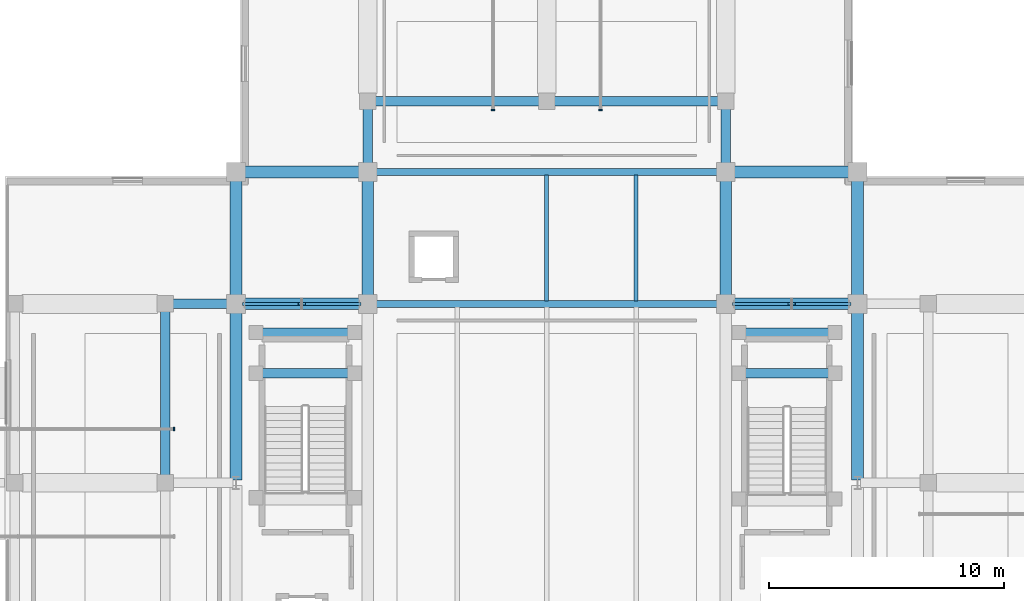
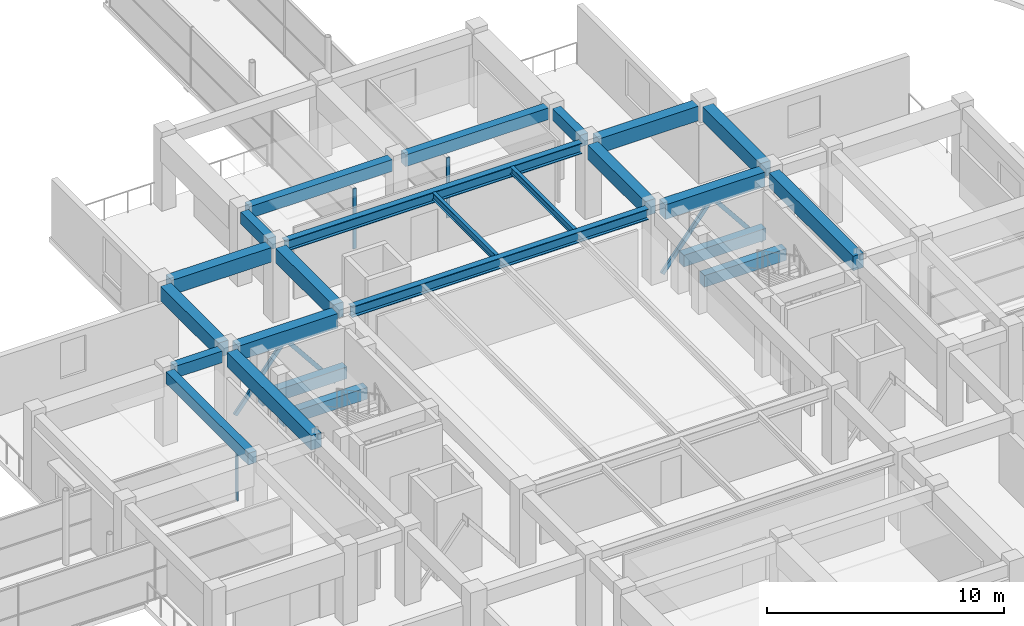
# One storey, part 22 of 70: 24 beams, 7 members, 3 elements without a shape of their own.
"""IFC4 building model written with IfcOpenShell, lengths in metres."""

from ifc_helpers import new_model, si_unit, direction, frame, origin, origin_2d, place, context, subcontext, project, spatial, rectangle, hollow_rectangle, i_section, extrude, material, material_profile, profile_set, type_object, element, aggregate, save


model = new_model("IFC4")

# Units and contexts
model_context = context("Model", 3, precision=1e-05, world=origin(), true_north=direction((0.0, 1.0)))
body_context = subcontext(model_context, "Body", "Model", "MODEL_VIEW")
ifc_project = project(units=[si_unit("LENGTHUNIT", "METRE"), si_unit("AREAUNIT", "SQUARE_METRE"), si_unit("VOLUMEUNIT", "CUBIC_METRE"), si_unit("PLANEANGLEUNIT", "RADIAN"), si_unit("MASSUNIT", "GRAM", prefix="KILO")], contexts=[model_context])

# Site, building, storey
site_placement = place(None, origin())
site = spatial("IfcSite", under=ifc_project, at=site_placement, CompositionType="ELEMENT")
building_placement = place(site_placement, origin())
building = spatial("IfcBuilding", under=site, at=building_placement, Name="Saryqyr Civic Hall", CompositionType="ELEMENT")
storey_placement = place(building_placement, frame((0.0, 0.0, 13.199951171875)))
storey = spatial("IfcBuildingStorey", under=building, at=storey_placement, Name="L03", CompositionType="ELEMENT", Elevation=13.199951171875)

# Curtain wall, member
ifc_material_1 = material(Name="Anodised aluminium and triple low-E glass", Category="aluminium")
curtain_wall_type_1 = type_object("IfcCurtainWallType", Name="ENV-CW-STD-86", PredefinedType="NOTDEFINED", material=ifc_material_1)
curtain_wall_1_placement = place(storey_placement, origin())
curtain_wall_1 = element("IfcCurtainWall", 1, at=curtain_wall_1_placement, inside=storey, type_object=curtain_wall_type_1, Name="Curtain wall BR-CW-CW2-L03", PredefinedType="NOTDEFINED")
ifc_material_2 = material(Name="Anodised aluminium", Category="aluminium")
ifc_material_profile_1 = material_profile(ifc_material_2, rectangle(XDim=0.06005859375, YDim=0.159912109375, at=origin_2d()), Name="ALU MULLION 60x160")
ifc_profile_set_1 = profile_set([ifc_material_profile_1], Name="Anodised aluminium")
member_type_1 = type_object("IfcMemberType", Name="ENV-CW-MUL-180", PredefinedType="MULLION", material=ifc_profile_set_1)
member_1_placement = place(storey_placement, frame((41.169921875, 86.280029296875, 0.0), z_axis=(0.0, 0.0, 1.0), x_axis=(1.0, 0.0, 0.0)))
member_1 = element("IfcMember", 2, at=member_1_placement, type_object=member_type_1, Name="CW-86 mullion 4", PredefinedType="MULLION", context=body_context, shape_type="SweptSolid", body=[
    extrude(rectangle(XDim=0.06005859375, YDim=0.159912109375, at=origin_2d()), origin(), (0.0, 0.0, 1.0), 3.10009765625),
])
aggregate(curtain_wall_1, [member_1])

curtain_wall_type_2 = type_object("IfcCurtainWallType", Name="ENV-CW-STD-88", PredefinedType="NOTDEFINED", material=ifc_material_1)
curtain_wall_2_placement = place(storey_placement, origin())
curtain_wall_2 = element("IfcCurtainWall", 3, at=curtain_wall_2_placement, inside=storey, type_object=curtain_wall_type_2, Name="Curtain wall BR-CN-CW1-L03", PredefinedType="NOTDEFINED")
member_2_placement = place(storey_placement, frame((54.719970703125, 99.830078125, 0.0), z_axis=(0.0, 0.0, 1.0), x_axis=(0.0, 1.0, 0.0)))
member_2 = element("IfcMember", 4, at=member_2_placement, type_object=member_type_1, Name="CW-88 mullion 1", PredefinedType="MULLION", context=body_context, shape_type="SweptSolid", body=[
    extrude(rectangle(XDim=0.06005859375, YDim=0.159912109375, at=origin_2d()), origin(), (0.0, 0.0, 1.0), 3.10009765625),
])
aggregate(curtain_wall_2, [member_2])

curtain_wall_3_placement = place(storey_placement, origin())
curtain_wall_3 = element("IfcCurtainWall", 5, at=curtain_wall_3_placement, inside=storey, type_object=curtain_wall_type_2, Name="Curtain wall BR-CN-CW2-L03", PredefinedType="NOTDEFINED")
member_3_placement = place(storey_placement, frame((59.280029296875, 99.830078125, 0.0), z_axis=(0.0, 0.0, 1.0), x_axis=(0.0, -1.0, 0.0)))
member_3 = element("IfcMember", 6, at=member_3_placement, type_object=member_type_1, Name="CW-88 mullion 4", PredefinedType="MULLION", context=body_context, shape_type="SweptSolid", body=[
    extrude(rectangle(XDim=0.06005859375, YDim=0.159912109375, at=origin_2d()), origin(), (0.0, 0.0, 1.0), 3.10009765625),
])
aggregate(curtain_wall_3, [member_3])

# Beams
ifc_material_3 = material(Name="Steel S355", Category="steel")
ifc_material_profile_2 = material_profile(ifc_material_3, i_section(OverallWidth=0.300048828125, OverallDepth=0.550048828125, WebThickness=0.014892578125, FlangeThickness=0.029052734375, at=origin_2d()), Name="HEB 550")
ifc_profile_set_2 = profile_set([ifc_material_profile_2], Name="Steel S355")
beam_type_1 = type_object("IfcBeamType", Name="STR-BM-HEB550", PredefinedType="BEAM", material=ifc_profile_set_2)
for number, where, z_axis, x_axis, name in (
    (7, (49.77490234375, 91.60009765625, 3.51513671875), (1.0, 0.0, 0.0), (0.0, 1.0, 0.0), "Beam V1-GBM-EW3-L03"),
    (8, (49.77490234375, 97.199951171875, 3.51513671875), (1.0, 0.0, 0.0), (0.0, 1.0, 0.0), "Beam V1-GBM-EW4-L03"),
):
    element("IfcBeam", number, at=place(storey_placement, frame(where, z_axis=z_axis, x_axis=x_axis)), inside=storey, type_object=beam_type_1, Name=name, PredefinedType="BEAM", context=body_context, shape_type="SweptSolid", body=[
        extrude(i_section(OverallWidth=0.300048828125, OverallDepth=0.550048828125, WebThickness=0.014892578125, FlangeThickness=0.029052734375, at=origin_2d()), origin(), (0.0, 0.0, 1.0), 14.4501953125),
    ])
ifc_material_4 = material(Name="Concrete C35/45", Category="concrete")
ifc_material_profile_3 = material_profile(ifc_material_4, rectangle(XDim=0.39990234375, YDim=0.60009765625, at=origin_2d()), Name="RC 400x600")
ifc_profile_set_3 = profile_set([ifc_material_profile_3], Name="Concrete C35/45")
beam_type_2 = type_object("IfcBeamType", Name="STR-BM-RC400x600", PredefinedType="BEAM", material=ifc_profile_set_3)
for number, where, z_axis, x_axis, name in (
    (9, (41.125, 91.60009765625, 3.489990234375), (1.0, 0.0, 0.0), (0.0, 1.0, 0.0), "Beam V1-TBM-11-L03"),
    (10, (49.39990234375, 97.574951171875, 3.489990234375), (0.0, 1.0, 0.0), (-1.0, 0.0, 0.0), "Beam V1-TBM-17-L03"),
    (11, (64.60009765625, 97.574951171875, 3.489990234375), (0.0, 1.0, 0.0), (-1.0, 0.0, 0.0), "Beam V1-TBM-18-L03"),
):
    element("IfcBeam", number, at=place(storey_placement, frame(where, z_axis=z_axis, x_axis=x_axis)), inside=storey, type_object=beam_type_2, Name=name, PredefinedType="BEAM", context=body_context, shape_type="SweptSolid", body=[
        extrude(rectangle(XDim=0.39990234375, YDim=0.60009765625, at=origin_2d()), origin(), (0.0, 0.0, 1.0), 2.300048828125),
    ])
for number, where, z_axis, x_axis, name in (
    (12, (40.800048828125, 84.324951171875, 3.489990234375), (0.0, 1.0, 0.0), (-1.0, 0.0, 0.0), "Beam V1-TBM-20-L03"),
    (13, (49.72509765625, 100.199951171875, 3.489990234375), (1.0, 0.0, 0.0), (0.0, 1.0, 0.0), "Beam V1-TBM-25-L03"),
    (14, (57.324951171875, 100.199951171875, 3.489990234375), (1.0, 0.0, 0.0), (0.0, 1.0, 0.0), "Beam V1-TBM-26-L03"),
):
    element("IfcBeam", number, at=place(storey_placement, frame(where, z_axis=z_axis, x_axis=x_axis)), inside=storey, type_object=beam_type_2, Name=name, PredefinedType="BEAM", context=body_context, shape_type="SweptSolid", body=[
        extrude(rectangle(XDim=0.39990234375, YDim=0.60009765625, at=origin_2d()), origin(), (0.0, 0.0, 1.0), 6.949951171875),
    ])
for number, where, z_axis, x_axis, name in (
    (15, (48.800048828125, 88.64990234375, 1.525146484375), (-1.0, 0.0, 0.0), (0.0, -1.0, 0.0), "Stair half-landing support beam ST-1-LND1-L03"),
    (16, (48.800048828125, 90.3798828125, 1.525146484375), (-1.0, 0.0, 0.0), (0.0, -1.0, 0.0), "Stair half-landing support beam ST-1-LND2-L03"),
):
    element("IfcBeam", number, at=place(storey_placement, frame(where, z_axis=z_axis, x_axis=x_axis)), inside=storey, type_object=beam_type_2, Name=name, PredefinedType="BEAM", context=body_context, shape_type="SweptSolid", body=[
        extrude(rectangle(XDim=0.39990234375, YDim=0.60009765625, at=origin_2d()), origin(), (0.0, 0.0, 1.0), 4.10009765625),
    ])
for number, where, z_axis, x_axis, name in (
    (17, (69.199951171875, 88.64990234375, 1.525146484375), (-1.0, 0.0, 0.0), (0.0, -1.0, 0.0), "Stair half-landing support beam ST-2-LND1-L03"),
    (18, (69.199951171875, 90.3798828125, 1.525146484375), (-1.0, 0.0, 0.0), (0.0, -1.0, 0.0), "Stair half-landing support beam ST-2-LND2-L03"),
):
    element("IfcBeam", number, at=place(storey_placement, frame(where, z_axis=z_axis, x_axis=x_axis)), inside=storey, type_object=beam_type_2, Name=name, PredefinedType="BEAM", context=body_context, shape_type="SweptSolid", body=[
        extrude(rectangle(XDim=0.39990234375, YDim=0.60009765625, at=origin_2d()), origin(), (0.0, 0.0, 1.0), 4.0),
    ])
ifc_material_5 = material(Name="Concrete C40/50", Category="concrete")
ifc_material_profile_4 = material_profile(ifc_material_5, rectangle(XDim=0.5, YDim=0.75, at=origin_2d()), Name="RC 500x750")
ifc_profile_set_4 = profile_set([ifc_material_profile_4], Name="Concrete C40/50")
beam_type_3 = type_object("IfcBeamType", Name="STR-BM-RC500x750", PredefinedType="BEAM", material=ifc_profile_set_4)
for number, where, z_axis, x_axis, name in (
    (19, (44.175048828125, 91.60009765625, 3.4150390625), (1.0, 0.0, 0.0), (0.0, 1.0, 0.0), "Beam V1-WBM-W3-L03"),
    (20, (64.97509765625, 91.60009765625, 3.4150390625), (1.0, 0.0, 0.0), (0.0, 1.0, 0.0), "Beam V1-WBM-E3-L03"),
    (21, (44.175048828125, 97.199951171875, 3.4150390625), (1.0, 0.0, 0.0), (0.0, 1.0, 0.0), "Beam V1-WBM-W4-L03"),
    (22, (64.97509765625, 97.199951171875, 3.4150390625), (1.0, 0.0, 0.0), (0.0, 1.0, 0.0), "Beam V1-WBM-E4-L03"),
):
    element("IfcBeam", number, at=place(storey_placement, frame(where, z_axis=z_axis, x_axis=x_axis)), inside=storey, type_object=beam_type_3, Name=name, PredefinedType="BEAM", context=body_context, shape_type="SweptSolid", body=[
        extrude(rectangle(XDim=0.5, YDim=0.75, at=origin_2d()), origin(), (0.0, 0.0, 1.0), 4.849853515625),
    ])
beam_1_placement = place(storey_placement, frame((43.800048828125, 84.125, 3.4150390625), z_axis=(0.0, 1.0, 0.0), x_axis=(-1.0, 0.0, 0.0)))
element("IfcBeam", 23, at=beam_1_placement, inside=storey, type_object=beam_type_3, Name="Beam V1-BM-NS1B-L03", PredefinedType="BEAM", context=body_context, shape_type="SweptSolid", body=[
    extrude(rectangle(XDim=0.5, YDim=0.75, at=origin_2d()), origin(), (0.0, 0.0, 1.0), 7.10009765625),
])
for number, where, z_axis, x_axis, name in (
    (24, (43.800048828125, 91.97509765625, 3.4150390625), (0.0, 1.0, 0.0), (-1.0, 0.0, 0.0), "Beam V1-BM-NS13-L03"),
    (25, (49.39990234375, 91.97509765625, 3.4150390625), (0.0, 1.0, 0.0), (-1.0, 0.0, 0.0), "Beam V1-BM-NS23-L03"),
    (26, (64.60009765625, 91.97509765625, 3.4150390625), (0.0, 1.0, 0.0), (-1.0, 0.0, 0.0), "Beam V1-BM-NS33-L03"),
):
    element("IfcBeam", number, at=place(storey_placement, frame(where, z_axis=z_axis, x_axis=x_axis)), inside=storey, type_object=beam_type_3, Name=name, PredefinedType="BEAM", context=body_context, shape_type="SweptSolid", body=[
        extrude(rectangle(XDim=0.5, YDim=0.75, at=origin_2d()), origin(), (0.0, 0.0, 1.0), 4.849853515625),
    ])
beam_2_placement = place(storey_placement, frame((70.199951171875, 84.125, 3.4150390625), z_axis=(0.0, 1.0, 0.0), x_axis=(-1.0, 0.0, 0.0)))
element("IfcBeam", 27, at=beam_2_placement, inside=storey, type_object=beam_type_3, Name="Beam V1-BM-NS4B-L03", PredefinedType="BEAM", context=body_context, shape_type="SweptSolid", body=[
    extrude(rectangle(XDim=0.5, YDim=0.75, at=origin_2d()), origin(), (0.0, 0.0, 1.0), 7.10009765625),
])
beam_3_placement = place(storey_placement, frame((70.199951171875, 91.97509765625, 3.4150390625), z_axis=(0.0, 1.0, 0.0), x_axis=(-1.0, 0.0, 0.0)))
element("IfcBeam", 28, at=beam_3_placement, inside=storey, type_object=beam_type_3, Name="Beam V1-BM-NS43-L03", PredefinedType="BEAM", context=body_context, shape_type="SweptSolid", body=[
    extrude(rectangle(XDim=0.5, YDim=0.75, at=origin_2d()), origin(), (0.0, 0.0, 1.0), 4.849853515625),
])

# Members
ifc_material_profile_5 = material_profile(ifc_material_3, hollow_rectangle(XDim=0.1201171875, YDim=0.199951171875, WallThickness=0.010009765625, at=origin_2d()), Name="RHS 200x120x10")
ifc_profile_set_5 = profile_set([ifc_material_profile_5], Name="Steel S355")
member_type_2 = type_object("IfcMemberType", Name="STR-BR-RHS200", PredefinedType="BRACE", material=ifc_profile_set_5)
for number, where, z_axis, x_axis, name in (
    (29, (44.159912109375, 91.60009765625, 0.1201171875), (0.624718690137, 0.0, 0.78084989479), (0.0, 1.0, 0.0), "Seismic chevron brace 3A L03"),
    (30, (49.0400390625, 91.60009765625, 0.1201171875), (-0.624718690137, 0.0, 0.78084989479), (0.0, -1.0, 0.0), "Seismic chevron brace 3B L03"),
    (31, (64.9599609375, 91.60009765625, 0.1201171875), (0.624718690137, 0.0, 0.78084989479), (0.0, 1.0, 0.0), "Seismic chevron brace 4A L03"),
    (32, (69.840087890625, 91.60009765625, 0.1201171875), (-0.624718690137, 0.0, 0.78084989479), (0.0, -1.0, 0.0), "Seismic chevron brace 4B L03"),
):
    element("IfcMember", number, at=place(storey_placement, frame(where, z_axis=z_axis, x_axis=x_axis)), inside=storey, type_object=member_type_2, Name=name, PredefinedType="BRACE", context=body_context, shape_type="SweptSolid", body=[
        extrude(hollow_rectangle(XDim=0.1201171875, YDim=0.199951171875, WallThickness=0.010009765625, at=origin_2d()), origin(), (0.0, 0.0, 1.0), 3.77783203125),
    ])

# Beams
ifc_material_profile_6 = material_profile(ifc_material_3, i_section(OverallWidth=0.169921875, OverallDepth=0.360107421875, WebThickness=0.008056640625, FlangeThickness=0.0126953125, at=origin_2d()), Name="IPE 360")
ifc_profile_set_6 = profile_set([ifc_material_profile_6], Name="Steel S355")
beam_type_4 = type_object("IfcBeamType", Name="STR-JST-IPE360", PredefinedType="JOIST", material=ifc_profile_set_6)
for number, where, z_axis, x_axis, name in (
    (33, (57.0, 91.72998046875, 3.610107421875), (0.0, 1.0, 0.0), (-1.0, 0.0, 0.0), "Beam V1-JST-2-3-L03"),
    (34, (60.800048828125, 91.72998046875, 3.610107421875), (0.0, 1.0, 0.0), (-1.0, 0.0, 0.0), "Beam V1-JST-3-3-L03"),
):
    element("IfcBeam", number, at=place(storey_placement, frame(where, z_axis=z_axis, x_axis=x_axis)), inside=storey, type_object=beam_type_4, Name=name, PredefinedType="JOIST", context=body_context, shape_type="SweptSolid", body=[
        extrude(i_section(OverallWidth=0.169921875, OverallDepth=0.360107421875, WebThickness=0.008056640625, FlangeThickness=0.0126953125, at=origin_2d()), origin(), (0.0, 0.0, 1.0), 5.340087890625),
    ])

save(model, "model.ifc")
